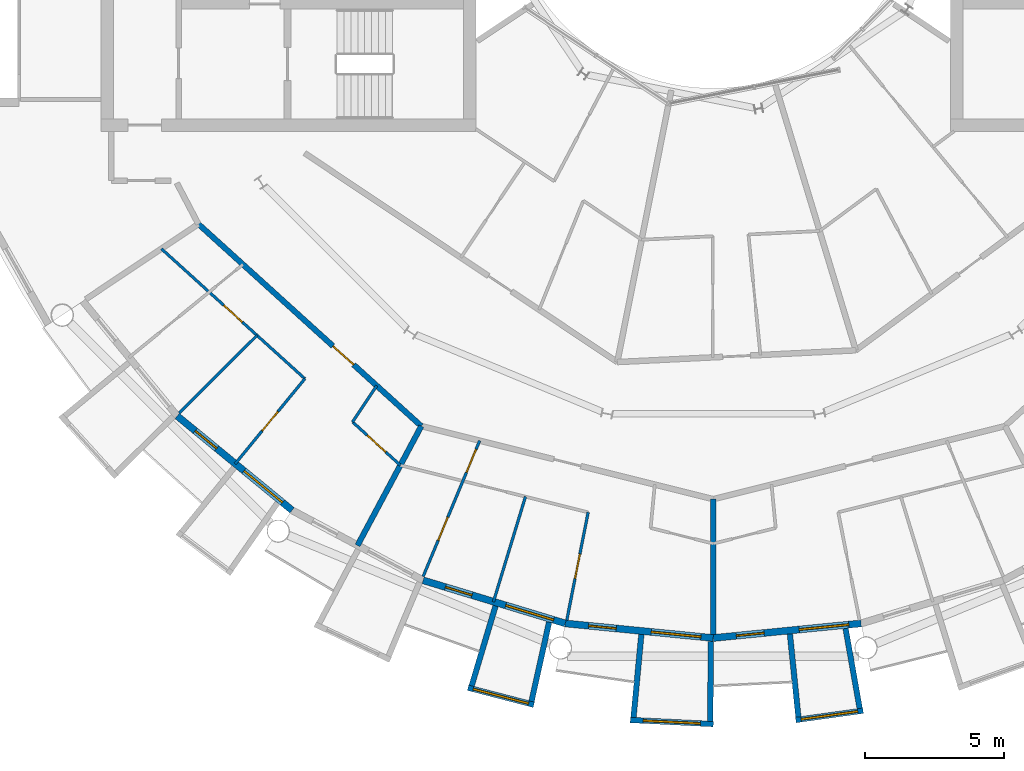
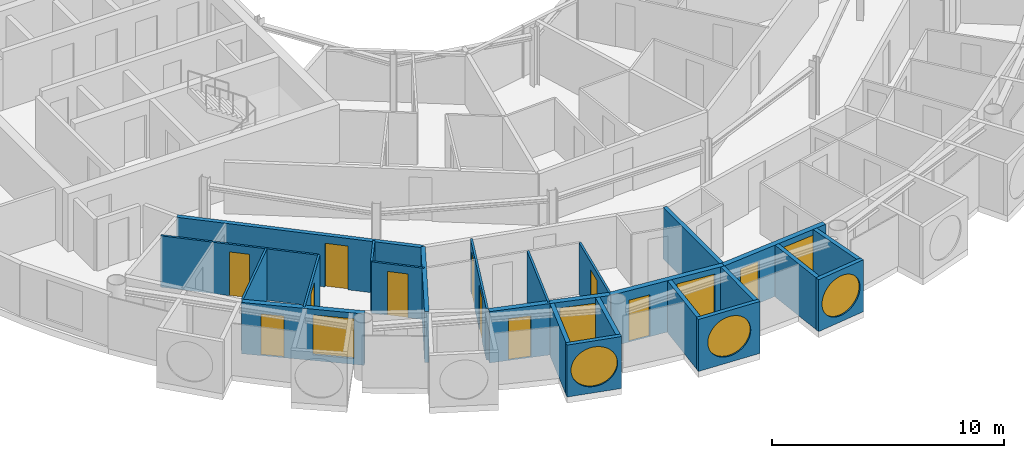
# One storey, part 15 of 29: 24 walls, 11 doors, 7 windows, 18 openings.
"""IFC4 building model written with IfcOpenShell, lengths in metres."""

from ifc_helpers import new_model, si_unit, direction, frame, frame_2d, origin, place, context, subcontext, project, spatial, rectangle, circle, extrude, material, layer, layer_set, type_object, element, fill, save


model = new_model("IFC4")

# Units and contexts
model_context = context("Model", 3, precision=1e-05, world=origin(), true_north=direction((0.0, 1.0)))
body_context = subcontext(model_context, "Body", "Model", "MODEL_VIEW")
ifc_project = project(units=[si_unit("LENGTHUNIT", "METRE"), si_unit("AREAUNIT", "SQUARE_METRE"), si_unit("VOLUMEUNIT", "CUBIC_METRE"), si_unit("PLANEANGLEUNIT", "RADIAN"), si_unit("MASSUNIT", "GRAM", prefix="KILO")], contexts=[model_context])

# Site, building, storey
site_placement = place(None, origin())
site = spatial("IfcSite", under=ifc_project, at=site_placement, CompositionType="ELEMENT")
building_placement = place(site_placement, origin())
building = spatial("IfcBuilding", under=site, at=building_placement, Name="Maasbend Ring Residences", CompositionType="ELEMENT")
storey_placement = place(building_placement, frame((0.0, 0.0, 193.25)))
storey = spatial("IfcBuildingStorey", under=building, at=storey_placement, Name="L55", CompositionType="ELEMENT", Elevation=193.25)

# Wall, opening, door
ifc_material_1 = material(Name="Concrete C30/37", Category="concrete")
ifc_layer_1 = layer(ifc_material_1, 0.199951171875)
ifc_layer_set_1 = layer_set([ifc_layer_1], Name="Concrete C30/37")
wall_type_1 = type_object("IfcWallType", Name="CORRIDOR WALL 200 CONCRETE", PredefinedType="PARTITIONING", material=ifc_layer_set_1)
wall_1_placement = place(storey_placement, frame((-18.5419921875, -12.388916015625, 0.0), z_axis=(0.0, 0.0, 1.0), x_axis=(0.74093897184, -0.671572363941, 0.0)))
wall_1 = element("IfcWall", 1, at=wall_1_placement, inside=storey, type_object=wall_type_1, Name="U-L55-w013", PredefinedType="PARTITIONING", context=body_context, shape_type="SweptSolid", body=[
    extrude(rectangle(XDim=10.84033203125, YDim=0.199951171875, at=frame_2d((5.420166015625, 0.0))), origin(), (0.0, 0.0, 1.0), 2.699951171875),
])
opening_1_placement = place(wall_1_placement, frame((6.5439453125, 0.0, 0.0)))
opening_1 = element("IfcOpeningElement", 2, at=opening_1_placement, cuts=wall_1, Name="Opening D-5536", PredefinedType="OPENING", context=body_context, shape_type="SweptSolid", body=[
    extrude(rectangle(XDim=1.0, YDim=2.300048828125, at=frame_2d((0.5, 1.14990234375))), frame((0.0, 0.10986328125, 0.0), z_axis=(0.0, -1.0, 0.0), x_axis=(1.0, 0.0, 0.0)), (0.0, 0.0, 1.0), 0.219970703125),
])
ifc_material_2 = material(Name="Timber, fire-rated, painted", Category="wood")
door_type_1 = type_object("IfcDoorType", Name="FLAT ENTRANCE DOOR 1000 X 2300 FIRE-RATED", OperationType="NOTDEFINED", PredefinedType="DOOR", material=ifc_material_2)
door_1_placement = place(opening_1_placement, origin())
door_1 = element("IfcDoor", 3, at=door_1_placement, inside=storey, type_object=door_type_1, Name="D-5536", OperationType="SINGLE_SWING_RIGHT", OverallHeight=2.300048828125, OverallWidth=1.0, PredefinedType="DOOR", context=body_context, shape_type="SweptSolid", body=[
    extrude(rectangle(XDim=1.0, YDim=2.300048828125, at=frame_2d((0.5, 1.14990234375))), frame((0.0, 0.02490234375, 0.0), z_axis=(0.0, -1.0, 0.0), x_axis=(1.0, 0.0, 0.0)), (0.0, 0.0, 1.0), 0.050048828125),
])
fill(opening_1, door_1)

# Wall, opening, window
ifc_material_3 = material(Name="Pale anodised aluminium panel", Category="aluminium")
ifc_layer_2 = layer(ifc_material_3, 0.199951171875)
ifc_layer_set_2 = layer_set([ifc_layer_2], Name="EW-BOX")
wall_type_2 = type_object("IfcWallType", Name="EW-BOX", PredefinedType="SOLIDWALL", material=ifc_layer_set_2)
wall_2_placement = place(storey_placement, frame((-8.8291015625, -29.090087890625, -0.030029296875), z_axis=(0.0, 0.0, 1.0), x_axis=(0.96789536872, -0.251353446784, 0.0)))
wall_2 = element("IfcWall", 4, at=wall_2_placement, inside=storey, type_object=wall_type_2, Name="Box front S08", PredefinedType="SOLIDWALL", context=body_context, shape_type="SweptSolid", body=[
    extrude(rectangle(XDim=2.44677734375, YDim=0.199951171875, at=frame_2d((1.223388671875, 0.0))), origin(), (0.0, 0.0, 1.0), 2.72998046875),
])
opening_2_placement = place(wall_2_placement, frame((0.182861328125, 0.0, 0.330078125)))
opening_2 = element("IfcOpeningElement", 5, at=opening_2_placement, cuts=wall_2, Name="Opening W-RD", PredefinedType="OPENING", context=body_context, shape_type="SweptSolid", body=[
    extrude(circle(Radius=1.0400390625, at=frame_2d((1.0400390625, 1.0400390625))), frame((0.0, 0.10986328125, 0.0), z_axis=(0.0, -1.0, 0.0), x_axis=(1.0, 0.0, 0.0)), (0.0, 0.0, 1.0), 0.219970703125),
])
ifc_material_4 = material(Name="Aluminium and clear glass", Category="aluminium")
window_type_1 = type_object("IfcWindowType", Name="W-RD", PartitioningType="SINGLE_PANEL", PredefinedType="WINDOW", material=ifc_material_4)
window_1_placement = place(opening_2_placement, origin())
window_1 = element("IfcWindow", 6, at=window_1_placement, inside=storey, type_object=window_type_1, Name="Round window S08", OverallHeight=2.080078125, OverallWidth=2.080078125, PartitioningType="SINGLE_PANEL", PredefinedType="WINDOW", context=body_context, shape_type="SweptSolid", body=[
    extrude(circle(Radius=1.0400390625, at=frame_2d((1.0400390625, 1.0400390625))), frame((0.0, 0.030029296875, 0.0), z_axis=(0.0, -1.0, 0.0), x_axis=(1.0, 0.0, 0.0)), (0.0, 0.0, 1.0), 0.06005859375),
])
fill(opening_2, window_1)

# Walls
wall_3_placement = place(storey_placement, frame((-7.8369140625, -26.14404296875, -0.030029296875), z_axis=(0.0, 0.0, 1.0), x_axis=(-0.287064767992, -0.957911174889, 0.0)))
element("IfcWall", 7, at=wall_3_placement, inside=storey, type_object=wall_type_2, Name="Box side wall S08 left", PredefinedType="SOLIDWALL", context=body_context, shape_type="SweptSolid", body=[
    extrude(rectangle(XDim=3.00634765625, YDim=0.199951171875, at=frame_2d((1.503173828125, 0.0))), origin(), (0.0, 0.0, 1.0), 2.72998046875),
])
wall_4_placement = place(storey_placement, frame((-5.908935546875, -26.72900390625, -0.030029296875), z_axis=(0.0, 0.0, 1.0), x_axis=(-0.216409053917, -0.976302781612, 0.0)))
element("IfcWall", 8, at=wall_4_placement, inside=storey, type_object=wall_type_2, Name="Box side wall S08 right", PredefinedType="SOLIDWALL", context=body_context, shape_type="SweptSolid", body=[
    extrude(rectangle(XDim=2.92529296875, YDim=0.199951171875, at=frame_2d((1.462646484375, 0.0))), origin(), (0.0, 0.0, 1.0), 2.72998046875),
])

# Wall, opening, window
wall_5_placement = place(storey_placement, frame((-2.985107421875, -30.2529296875, -0.030029296875), z_axis=(0.0, 0.0, 1.0), x_axis=(0.998794083011, -0.049095618353, 0.0)))
wall_5 = element("IfcWall", 9, at=wall_5_placement, inside=storey, type_object=wall_type_2, Name="Box front S10", PredefinedType="SOLIDWALL", context=body_context, shape_type="SweptSolid", body=[
    extrude(rectangle(XDim=2.99365234375, YDim=0.199951171875, at=frame_2d((1.496826171875, 0.0))), origin(), (0.0, 0.0, 1.0), 2.72998046875),
])
opening_3_placement = place(wall_5_placement, frame((0.45654296875, 0.0, 0.330078125)))
opening_3 = element("IfcOpeningElement", 10, at=opening_3_placement, cuts=wall_5, Name="Opening W-RD", PredefinedType="OPENING", context=body_context, shape_type="SweptSolid", body=[
    extrude(circle(Radius=1.0400390625, at=frame_2d((1.0400390625, 1.0400390625))), frame((0.0, 0.10986328125, 0.0), z_axis=(0.0, -1.0, 0.0), x_axis=(1.0, 0.0, 0.0)), (0.0, 0.0, 1.0), 0.219970703125),
])
window_2_placement = place(opening_3_placement, origin())
window_2 = element("IfcWindow", 11, at=window_2_placement, inside=storey, type_object=window_type_1, Name="Round window S10", OverallHeight=2.080078125, OverallWidth=2.080078125, PartitioningType="SINGLE_PANEL", PredefinedType="WINDOW", context=body_context, shape_type="SweptSolid", body=[
    extrude(circle(Radius=1.0400390625, at=frame_2d((1.0400390625, 1.0400390625))), frame((0.0, 0.030029296875, 0.0), z_axis=(0.0, -1.0, 0.0), x_axis=(1.0, 0.0, 0.0)), (0.0, 0.0, 1.0), 0.06005859375),
])
fill(opening_3, window_2)

# Walls
wall_6_placement = place(storey_placement, frame((-2.5859375, -27.1708984375, -0.030029296875), z_axis=(0.0, 0.0, 1.0), x_axis=(-0.094548432284, -0.995520262954, 0.0)))
element("IfcWall", 12, at=wall_6_placement, inside=storey, type_object=wall_type_2, Name="Box side wall S10 left", PredefinedType="SOLIDWALL", context=body_context, shape_type="SweptSolid", body=[
    extrude(rectangle(XDim=3.005615234375, YDim=0.199951171875, at=frame_2d((1.5029296875, 0.0))), origin(), (0.0, 0.0, 1.0), 2.72998046875),
])
wall_7_placement = place(storey_placement, frame((-0.090087890625, -27.4169921875, -0.030029296875), z_axis=(0.0, 0.0, 1.0), x_axis=(-0.00347308367, -0.999993968827, 0.0)))
element("IfcWall", 13, at=wall_7_placement, inside=storey, type_object=wall_type_2, Name="Box side wall S10 right", PredefinedType="SOLIDWALL", context=body_context, shape_type="SweptSolid", body=[
    extrude(rectangle(XDim=2.882080078125, YDim=0.199951171875, at=frame_2d((1.44091796875, 0.0))), origin(), (0.0, 0.0, 1.0), 2.72998046875),
])

# Wall, opening, window
wall_8_placement = place(storey_placement, frame((2.97607421875, -30.25390625, -0.030029296875), z_axis=(0.0, 0.0, 1.0), x_axis=(0.990462016113, 0.137786046596, 0.0)))
wall_8 = element("IfcWall", 14, at=wall_8_placement, inside=storey, type_object=wall_type_2, Name="Box front S12", PredefinedType="SOLIDWALL", context=body_context, shape_type="SweptSolid", body=[
    extrude(rectangle(XDim=2.4453125, YDim=0.199951171875, at=frame_2d((1.22265625, 0.0))), origin(), (0.0, 0.0, 1.0), 2.72998046875),
])
opening_4_placement = place(wall_8_placement, frame((0.182861328125, 0.0, 0.330078125)))
opening_4 = element("IfcOpeningElement", 15, at=opening_4_placement, cuts=wall_8, Name="Opening W-RD", PredefinedType="OPENING", context=body_context, shape_type="SweptSolid", body=[
    extrude(circle(Radius=1.0400390625, at=frame_2d((1.0400390625, 1.0400390625))), frame((0.0, 0.10986328125, 0.0), z_axis=(0.0, -1.0, 0.0), x_axis=(1.0, 0.0, 0.0)), (0.0, 0.0, 1.0), 0.219970703125),
])
window_3_placement = place(opening_4_placement, origin())
window_3 = element("IfcWindow", 16, at=window_3_placement, inside=storey, type_object=window_type_1, Name="Round window S12", OverallHeight=2.080078125, OverallWidth=2.080078125, PartitioningType="SINGLE_PANEL", PredefinedType="WINDOW", context=body_context, shape_type="SweptSolid", body=[
    extrude(circle(Radius=1.0400390625, at=frame_2d((1.0400390625, 1.0400390625))), frame((0.0, 0.030029296875, 0.0), z_axis=(0.0, -1.0, 0.0), x_axis=(1.0, 0.0, 0.0)), (0.0, 0.0, 1.0), 0.06005859375),
])
fill(opening_4, window_3)

# Walls
wall_9_placement = place(storey_placement, frame((2.763916015625, -27.153076171875, -0.030029296875), z_axis=(0.0, 0.0, 1.0), x_axis=(0.101505487237, -0.994834979311, 0.0)))
element("IfcWall", 17, at=wall_9_placement, inside=storey, type_object=wall_type_2, Name="Box side wall S12 left", PredefinedType="SOLIDWALL", context=body_context, shape_type="SweptSolid", body=[
    extrude(rectangle(XDim=3.006591796875, YDim=0.199951171875, at=frame_2d((1.50341796875, 0.0))), origin(), (0.0, 0.0, 1.0), 2.72998046875),
])
wall_10_placement = place(storey_placement, frame((4.76904296875, -26.9560546875, -0.030029296875), z_axis=(0.0, 0.0, 1.0), x_axis=(0.174056778901, -0.984735618183, 0.0)))
element("IfcWall", 18, at=wall_10_placement, inside=storey, type_object=wall_type_2, Name="Box side wall S12 right", PredefinedType="SOLIDWALL", context=body_context, shape_type="SweptSolid", body=[
    extrude(rectangle(XDim=2.924560546875, YDim=0.199951171875, at=frame_2d((1.46240234375, 0.0))), origin(), (0.0, 0.0, 1.0), 2.72998046875),
])

# Wall, openings, door, window
ifc_material_5 = material(Name="Aluminium clad insulated panel", Category="aluminium")
ifc_layer_3 = layer(ifc_material_5, 0.25)
ifc_layer_set_3 = layer_set([ifc_layer_3], Name="EW-GL")
wall_type_3 = type_object("IfcWallType", Name="EW-GL", PredefinedType="SOLIDWALL", material=ifc_layer_set_3)
wall_11_placement = place(storey_placement, frame((-19.303955078125, -19.303955078125, 0.0), z_axis=(0.0, 0.0, 1.0), x_axis=(0.773019449054, -0.634382322723, 0.0)))
wall_11 = element("IfcWall", 19, at=wall_11_placement, inside=storey, type_object=wall_type_3, Name="External wall S02", PredefinedType="SOLIDWALL", context=body_context, shape_type="SweptSolid", body=[
    extrude(rectangle(XDim=5.351806640625, YDim=0.25, at=frame_2d((2.67578125, 0.0))), origin(), (0.0, 0.0, 1.0), 2.699951171875),
])
opening_5_placement = place(wall_11_placement, frame((0.841064453125, 0.0, 0.0)))
opening_5 = element("IfcOpeningElement", 20, at=opening_5_placement, cuts=wall_11, Name="Opening D-LG", PredefinedType="OPENING", context=body_context, shape_type="SweptSolid", body=[
    extrude(rectangle(XDim=1.0, YDim=2.199951171875, at=frame_2d((0.5, 1.10009765625))), frame((0.0, 0.135009765625, 0.0), z_axis=(0.0, -1.0, 0.0), x_axis=(1.0, 0.0, 0.0)), (0.0, 0.0, 1.0), 0.27001953125),
])
opening_6_placement = place(wall_11_placement, frame((3.110595703125, 0.0, 0.300048828125)))
opening_6 = element("IfcOpeningElement", 21, at=opening_6_placement, cuts=wall_11, Name="Opening W-BX", PredefinedType="OPENING", context=body_context, shape_type="SweptSolid", body=[
    extrude(rectangle(XDim=1.800048828125, YDim=2.10009765625, at=frame_2d((0.89990234375, 1.050048828125))), frame((0.0, 0.135009765625, 0.0), z_axis=(0.0, -1.0, 0.0), x_axis=(1.0, 0.0, 0.0)), (0.0, 0.0, 1.0), 0.27001953125),
])
ifc_material_6 = material(Name="Aluminium and clear glass", Category="aluminium")
door_type_2 = type_object("IfcDoorType", Name="D-LG", OperationType="SINGLE_SWING_LEFT", PredefinedType="DOOR", material=ifc_material_6)
door_2_placement = place(opening_5_placement, origin())
door_2 = element("IfcDoor", 22, at=door_2_placement, inside=storey, type_object=door_type_2, Name="Loggia door S03", OperationType="SINGLE_SWING_LEFT", OverallHeight=2.199951171875, OverallWidth=1.0, PredefinedType="DOOR", context=body_context, shape_type="SweptSolid", body=[
    extrude(rectangle(XDim=1.0, YDim=2.199951171875, at=frame_2d((0.5, 1.10009765625))), frame((0.0, 0.02490234375, 0.0), z_axis=(0.0, -1.0, 0.0), x_axis=(1.0, 0.0, 0.0)), (0.0, 0.0, 1.0), 0.050048828125),
])
fill(opening_5, door_2)
ifc_material_7 = material(Name="Aluminium and clear glass", Category="aluminium")
window_type_2 = type_object("IfcWindowType", Name="W-BX", PartitioningType="DOUBLE_PANEL_VERTICAL", PredefinedType="WINDOW", material=ifc_material_7)
window_4_placement = place(opening_6_placement, origin())
window_4 = element("IfcWindow", 23, at=window_4_placement, inside=storey, type_object=window_type_2, Name="Window S04 room to box", OverallHeight=2.10009765625, OverallWidth=1.800048828125, PartitioningType="SINGLE_PANEL", PredefinedType="WINDOW", context=body_context, shape_type="SweptSolid", body=[
    extrude(rectangle(XDim=1.800048828125, YDim=2.10009765625, at=frame_2d((0.89990234375, 1.050048828125))), frame((0.0, 0.030029296875, 0.0), z_axis=(0.0, -1.0, 0.0), x_axis=(1.0, 0.0, 0.0)), (0.0, 0.0, 1.0), 0.06005859375),
])
fill(opening_6, window_4)

wall_12_placement = place(storey_placement, frame((-10.447021484375, -25.221923828125, 0.0), z_axis=(0.0, 0.0, 1.0), x_axis=(0.956965678721, -0.290201119486, 0.0)))
wall_12 = element("IfcWall", 24, at=wall_12_placement, inside=storey, type_object=wall_type_3, Name="External wall S04", PredefinedType="SOLIDWALL", context=body_context, shape_type="SweptSolid", body=[
    extrude(rectangle(XDim=5.351318359375, YDim=0.25, at=frame_2d((2.67578125, 0.0))), origin(), (0.0, 0.0, 1.0), 2.699951171875),
])
opening_7_placement = place(wall_12_placement, frame((0.841064453125, 0.0, 0.0)))
opening_7 = element("IfcOpeningElement", 25, at=opening_7_placement, cuts=wall_12, Name="Opening D-LG", PredefinedType="OPENING", context=body_context, shape_type="SweptSolid", body=[
    extrude(rectangle(XDim=1.0, YDim=2.199951171875, at=frame_2d((0.5, 1.10009765625))), frame((0.0, 0.135009765625, 0.0), z_axis=(0.0, -1.0, 0.0), x_axis=(1.0, 0.0, 0.0)), (0.0, 0.0, 1.0), 0.27001953125),
])
opening_8_placement = place(wall_12_placement, frame((3.110595703125, 0.0, 0.300048828125)))
opening_8 = element("IfcOpeningElement", 26, at=opening_8_placement, cuts=wall_12, Name="Opening W-BX", PredefinedType="OPENING", context=body_context, shape_type="SweptSolid", body=[
    extrude(rectangle(XDim=1.800048828125, YDim=2.10009765625, at=frame_2d((0.89990234375, 1.050048828125))), frame((0.0, 0.135009765625, 0.0), z_axis=(0.0, -1.0, 0.0), x_axis=(1.0, 0.0, 0.0)), (0.0, 0.0, 1.0), 0.27001953125),
])
door_3_placement = place(opening_7_placement, origin())
door_3 = element("IfcDoor", 27, at=door_3_placement, inside=storey, type_object=door_type_2, Name="Loggia door S07", OperationType="SINGLE_SWING_LEFT", OverallHeight=2.199951171875, OverallWidth=1.0, PredefinedType="DOOR", context=body_context, shape_type="SweptSolid", body=[
    extrude(rectangle(XDim=1.0, YDim=2.199951171875, at=frame_2d((0.5, 1.10009765625))), frame((0.0, 0.02490234375, 0.0), z_axis=(0.0, -1.0, 0.0), x_axis=(1.0, 0.0, 0.0)), (0.0, 0.0, 1.0), 0.050048828125),
])
fill(opening_7, door_3)
window_5_placement = place(opening_8_placement, origin())
window_5 = element("IfcWindow", 28, at=window_5_placement, inside=storey, type_object=window_type_2, Name="Window S08 room to box", OverallHeight=2.10009765625, OverallWidth=1.800048828125, PartitioningType="SINGLE_PANEL", PredefinedType="WINDOW", context=body_context, shape_type="SweptSolid", body=[
    extrude(rectangle(XDim=1.800048828125, YDim=2.10009765625, at=frame_2d((0.89990234375, 1.050048828125))), frame((0.0, 0.030029296875, 0.0), z_axis=(0.0, -1.0, 0.0), x_axis=(1.0, 0.0, 0.0)), (0.0, 0.0, 1.0), 0.06005859375),
])
fill(opening_8, window_5)

wall_13_placement = place(storey_placement, frame((-5.325927734375, -26.77490234375, 0.0), z_axis=(0.0, 0.0, 1.0), x_axis=(0.995173996315, -0.098126026407, 0.0)))
wall_13 = element("IfcWall", 29, at=wall_13_placement, inside=storey, type_object=wall_type_3, Name="External wall S05", PredefinedType="SOLIDWALL", context=body_context, shape_type="SweptSolid", body=[
    extrude(rectangle(XDim=5.351806640625, YDim=0.25, at=frame_2d((2.67578125, 0.0))), origin(), (0.0, 0.0, 1.0), 2.699951171875),
])
opening_9_placement = place(wall_13_placement, frame((0.841064453125, 0.0, 0.0)))
opening_9 = element("IfcOpeningElement", 30, at=opening_9_placement, cuts=wall_13, Name="Opening D-LG", PredefinedType="OPENING", context=body_context, shape_type="SweptSolid", body=[
    extrude(rectangle(XDim=1.0, YDim=2.199951171875, at=frame_2d((0.5, 1.10009765625))), frame((0.0, 0.135009765625, 0.0), z_axis=(0.0, -1.0, 0.0), x_axis=(1.0, 0.0, 0.0)), (0.0, 0.0, 1.0), 0.27001953125),
])
opening_10_placement = place(wall_13_placement, frame((3.110595703125, 0.0, 0.300048828125)))
opening_10 = element("IfcOpeningElement", 31, at=opening_10_placement, cuts=wall_13, Name="Opening W-BX", PredefinedType="OPENING", context=body_context, shape_type="SweptSolid", body=[
    extrude(rectangle(XDim=1.800048828125, YDim=2.10009765625, at=frame_2d((0.89990234375, 1.050048828125))), frame((0.0, 0.135009765625, 0.0), z_axis=(0.0, -1.0, 0.0), x_axis=(1.0, 0.0, 0.0)), (0.0, 0.0, 1.0), 0.27001953125),
])
door_4_placement = place(opening_9_placement, origin())
door_4 = element("IfcDoor", 32, at=door_4_placement, inside=storey, type_object=door_type_2, Name="Loggia door S09", OperationType="SINGLE_SWING_LEFT", OverallHeight=2.199951171875, OverallWidth=1.0, PredefinedType="DOOR", context=body_context, shape_type="SweptSolid", body=[
    extrude(rectangle(XDim=1.0, YDim=2.199951171875, at=frame_2d((0.5, 1.10009765625))), frame((0.0, 0.02490234375, 0.0), z_axis=(0.0, -1.0, 0.0), x_axis=(1.0, 0.0, 0.0)), (0.0, 0.0, 1.0), 0.050048828125),
])
fill(opening_9, door_4)
window_6_placement = place(opening_10_placement, origin())
window_6 = element("IfcWindow", 33, at=window_6_placement, inside=storey, type_object=window_type_2, Name="Window S10 room to box", OverallHeight=2.10009765625, OverallWidth=1.800048828125, PartitioningType="SINGLE_PANEL", PredefinedType="WINDOW", context=body_context, shape_type="SweptSolid", body=[
    extrude(rectangle(XDim=1.800048828125, YDim=2.10009765625, at=frame_2d((0.89990234375, 1.050048828125))), frame((0.0, 0.030029296875, 0.0), z_axis=(0.0, -1.0, 0.0), x_axis=(1.0, 0.0, 0.0)), (0.0, 0.0, 1.0), 0.06005859375),
])
fill(opening_10, window_6)

wall_14_placement = place(storey_placement, frame((0.0, -27.300048828125, 0.0), z_axis=(0.0, 0.0, 1.0), x_axis=(0.995173996315, 0.098126026407, 0.0)))
wall_14 = element("IfcWall", 34, at=wall_14_placement, inside=storey, type_object=wall_type_3, Name="External wall S06", PredefinedType="SOLIDWALL", context=body_context, shape_type="SweptSolid", body=[
    extrude(rectangle(XDim=5.351806640625, YDim=0.25, at=frame_2d((2.67578125, 0.0))), origin(), (0.0, 0.0, 1.0), 2.699951171875),
])
opening_11_placement = place(wall_14_placement, frame((0.841064453125, 0.0, 0.0)))
opening_11 = element("IfcOpeningElement", 35, at=opening_11_placement, cuts=wall_14, Name="Opening D-LG", PredefinedType="OPENING", context=body_context, shape_type="SweptSolid", body=[
    extrude(rectangle(XDim=1.0, YDim=2.199951171875, at=frame_2d((0.5, 1.10009765625))), frame((0.0, 0.135009765625, 0.0), z_axis=(0.0, -1.0, 0.0), x_axis=(1.0, 0.0, 0.0)), (0.0, 0.0, 1.0), 0.27001953125),
])
opening_12_placement = place(wall_14_placement, frame((3.110595703125, 0.0, 0.300048828125)))
opening_12 = element("IfcOpeningElement", 36, at=opening_12_placement, cuts=wall_14, Name="Opening W-BX", PredefinedType="OPENING", context=body_context, shape_type="SweptSolid", body=[
    extrude(rectangle(XDim=1.800048828125, YDim=2.10009765625, at=frame_2d((0.89990234375, 1.050048828125))), frame((0.0, 0.135009765625, 0.0), z_axis=(0.0, -1.0, 0.0), x_axis=(1.0, 0.0, 0.0)), (0.0, 0.0, 1.0), 0.27001953125),
])
door_5_placement = place(opening_11_placement, origin())
door_5 = element("IfcDoor", 37, at=door_5_placement, inside=storey, type_object=door_type_2, Name="Loggia door S11", OperationType="SINGLE_SWING_LEFT", OverallHeight=2.199951171875, OverallWidth=1.0, PredefinedType="DOOR", context=body_context, shape_type="SweptSolid", body=[
    extrude(rectangle(XDim=1.0, YDim=2.199951171875, at=frame_2d((0.5, 1.10009765625))), frame((0.0, 0.02490234375, 0.0), z_axis=(0.0, -1.0, 0.0), x_axis=(1.0, 0.0, 0.0)), (0.0, 0.0, 1.0), 0.050048828125),
])
fill(opening_11, door_5)
window_7_placement = place(opening_12_placement, origin())
window_7 = element("IfcWindow", 38, at=window_7_placement, inside=storey, type_object=window_type_2, Name="Window S12 room to box", OverallHeight=2.10009765625, OverallWidth=1.800048828125, PartitioningType="SINGLE_PANEL", PredefinedType="WINDOW", context=body_context, shape_type="SweptSolid", body=[
    extrude(rectangle(XDim=1.800048828125, YDim=2.10009765625, at=frame_2d((0.89990234375, 1.050048828125))), frame((0.0, 0.030029296875, 0.0), z_axis=(0.0, -1.0, 0.0), x_axis=(1.0, 0.0, 0.0)), (0.0, 0.0, 1.0), 0.06005859375),
])
fill(opening_12, window_7)

# Wall, opening, door
ifc_material_8 = material(Name="Gypsum board on steel studs", Category="steel")
ifc_layer_4 = layer(ifc_material_8, 0.10009765625)
ifc_layer_set_4 = layer_set([ifc_layer_4], Name="PARTITION 100 GYPSUM")
wall_type_4 = type_object("IfcWallType", Name="PARTITION 100 GYPSUM", PredefinedType="PARTITIONING", material=ifc_layer_set_4)
wall_15_placement = place(storey_placement, frame((-19.868896484375, -13.283935546875, 0.0), z_axis=(0.0, 0.0, 1.0), x_axis=(0.741104058203, -0.67139018083, 0.0)))
wall_15 = element("IfcWall", 39, at=wall_15_placement, inside=storey, type_object=wall_type_4, Name="U-L55-w001", PredefinedType="PARTITIONING", context=body_context, shape_type="SweptSolid", body=[
    extrude(rectangle(XDim=6.968994140625, YDim=0.10009765625, at=frame_2d((3.484375, 0.0))), origin(), (0.0, 0.0, 1.0), 2.699951171875),
])
opening_13_placement = place(wall_15_placement, frame((3.028076171875, 0.0, 0.0)))
opening_13 = element("IfcOpeningElement", 40, at=opening_13_placement, cuts=wall_15, Name="Opening D-5540", PredefinedType="OPENING", context=body_context, shape_type="SweptSolid", body=[
    extrude(rectangle(XDim=0.89990234375, YDim=2.300048828125, at=frame_2d((0.449951171875, 1.14990234375))), frame((0.0, 0.06005859375, 0.0), z_axis=(0.0, -1.0, 0.0), x_axis=(1.0, 0.0, 0.0)), (0.0, 0.0, 1.0), 0.1201171875),
])
ifc_material_9 = material(Name="Timber, painted", Category="wood")
door_type_3 = type_object("IfcDoorType", Name="INTERNAL DOOR 900 X 2300", OperationType="NOTDEFINED", PredefinedType="DOOR", material=ifc_material_9)
door_6_placement = place(opening_13_placement, origin())
door_6 = element("IfcDoor", 41, at=door_6_placement, inside=storey, type_object=door_type_3, Name="D-5540", OperationType="SINGLE_SWING_LEFT", OverallHeight=2.300048828125, OverallWidth=0.89990234375, PredefinedType="DOOR", context=body_context, shape_type="SweptSolid", body=[
    extrude(rectangle(XDim=0.89990234375, YDim=2.300048828125, at=frame_2d((0.449951171875, 1.14990234375))), frame((0.0, 0.02490234375, 0.0), z_axis=(0.0, -1.0, 0.0), x_axis=(1.0, 0.0, 0.0)), (0.0, 0.0, 1.0), 0.050048828125),
])
fill(opening_13, door_6)

wall_16_placement = place(storey_placement, frame((-12.988037109375, -19.51806640625, 0.0), z_axis=(0.0, 0.0, 1.0), x_axis=(0.741132356378, -0.671358942988, 0.0)))
wall_16 = element("IfcWall", 42, at=wall_16_placement, inside=storey, type_object=wall_type_4, Name="U-L55-w002", PredefinedType="PARTITIONING", context=body_context, shape_type="SweptSolid", body=[
    extrude(rectangle(XDim=2.323486328125, YDim=0.10009765625, at=frame_2d((1.16162109375, 0.0))), origin(), (0.0, 0.0, 1.0), 2.699951171875),
])
opening_14_placement = place(wall_16_placement, frame((0.7119140625, 0.0, 0.0)))
opening_14 = element("IfcOpeningElement", 43, at=opening_14_placement, cuts=wall_16, Name="Opening D-5537", PredefinedType="OPENING", context=body_context, shape_type="SweptSolid", body=[
    extrude(rectangle(XDim=0.89990234375, YDim=2.300048828125, at=frame_2d((0.449951171875, 1.14990234375))), frame((0.0, 0.06005859375, 0.0), z_axis=(0.0, -1.0, 0.0), x_axis=(1.0, 0.0, 0.0)), (0.0, 0.0, 1.0), 0.1201171875),
])
door_7_placement = place(opening_14_placement, origin())
door_7 = element("IfcDoor", 44, at=door_7_placement, inside=storey, type_object=door_type_3, Name="D-5537", OperationType="SINGLE_SWING_RIGHT", OverallHeight=2.300048828125, OverallWidth=0.89990234375, PredefinedType="DOOR", context=body_context, shape_type="SweptSolid", body=[
    extrude(rectangle(XDim=0.89990234375, YDim=2.300048828125, at=frame_2d((0.449951171875, 1.14990234375))), frame((0.0, 0.02490234375, 0.0), z_axis=(0.0, -1.0, 0.0), x_axis=(1.0, 0.0, 0.0)), (0.0, 0.0, 1.0), 0.050048828125),
])
fill(opening_14, door_7)

# Wall
wall_17_placement = place(storey_placement, frame((-19.23095703125, -19.199951171875, 0.0), z_axis=(0.0, 0.0, 1.0), x_axis=(0.707722727509, 0.706490297858, 0.0)))
element("IfcWall", 45, at=wall_17_placement, inside=storey, type_object=wall_type_4, Name="U-L55-w036", PredefinedType="PARTITIONING", context=body_context, shape_type="SweptSolid", body=[
    extrude(rectangle(XDim=3.9619140625, YDim=0.10009765625, at=frame_2d((1.98095703125, 0.0))), origin(), (0.0, 0.0, 1.0), 2.699951171875),
])

# Wall, opening, door
wall_18_placement = place(storey_placement, frame((-17.216064453125, -21.02587890625, 0.0), z_axis=(0.0, 0.0, 1.0), x_axis=(0.633590098448, 0.773668913133, 0.0)))
wall_18 = element("IfcWall", 46, at=wall_18_placement, inside=storey, type_object=wall_type_4, Name="U-L55-w039", PredefinedType="PARTITIONING", context=body_context, shape_type="SweptSolid", body=[
    extrude(rectangle(XDim=3.961669921875, YDim=0.10009765625, at=frame_2d((1.98095703125, 0.0))), origin(), (0.0, 0.0, 1.0), 2.699951171875),
])
opening_15_placement = place(wall_18_placement, frame((1.531005859375, 0.0, 0.0)))
opening_15 = element("IfcOpeningElement", 47, at=opening_15_placement, cuts=wall_18, Name="Opening D-5539", PredefinedType="OPENING", context=body_context, shape_type="SweptSolid", body=[
    extrude(rectangle(XDim=0.89990234375, YDim=2.300048828125, at=frame_2d((0.449951171875, 1.14990234375))), frame((0.0, 0.06005859375, 0.0), z_axis=(0.0, -1.0, 0.0), x_axis=(1.0, 0.0, 0.0)), (0.0, 0.0, 1.0), 0.1201171875),
])
door_8_placement = place(opening_15_placement, origin())
door_8 = element("IfcDoor", 48, at=door_8_placement, inside=storey, type_object=door_type_3, Name="D-5539", OperationType="SINGLE_SWING_RIGHT", OverallHeight=2.300048828125, OverallWidth=0.89990234375, PredefinedType="DOOR", context=body_context, shape_type="SweptSolid", body=[
    extrude(rectangle(XDim=0.89990234375, YDim=2.300048828125, at=frame_2d((0.449951171875, 1.14990234375))), frame((0.0, 0.02490234375, 0.0), z_axis=(0.0, -1.0, 0.0), x_axis=(1.0, 0.0, 0.0)), (0.0, 0.0, 1.0), 0.050048828125),
])
fill(opening_15, door_8)

# Wall
wall_19_placement = place(storey_placement, frame((-12.988037109375, -19.51806640625, 0.0), z_axis=(0.0, 0.0, 1.0), x_axis=(0.554125989098, 0.832432813028, 0.0)))
element("IfcWall", 49, at=wall_19_placement, inside=storey, type_object=wall_type_4, Name="U-L55-w041", PredefinedType="PARTITIONING", context=body_context, shape_type="SweptSolid", body=[
    extrude(rectangle(XDim=1.5703125, YDim=0.10009765625, at=frame_2d((0.78515625, 0.0))), origin(), (0.0, 0.0, 1.0), 2.699951171875),
])

# Wall, openings, doors
wall_20_placement = place(storey_placement, frame((-10.447021484375, -25.0859375, 0.0), z_axis=(0.0, 0.0, 1.0), x_axis=(0.384363513821, 0.923181828917, 0.0)))
wall_20 = element("IfcWall", 50, at=wall_20_placement, inside=storey, type_object=wall_type_4, Name="U-L55-w044", PredefinedType="PARTITIONING", context=body_context, shape_type="SweptSolid", body=[
    extrude(rectangle(XDim=5.300048828125, YDim=0.10009765625, at=frame_2d((2.64990234375, 0.0))), origin(), (0.0, 0.0, 1.0), 2.699951171875),
])
opening_16_placement = place(wall_20_placement, frame((4.06494140625, 0.0, 0.0)))
opening_16 = element("IfcOpeningElement", 51, at=opening_16_placement, cuts=wall_20, Name="Opening D-5544", PredefinedType="OPENING", context=body_context, shape_type="SweptSolid", body=[
    extrude(rectangle(XDim=0.89990234375, YDim=2.300048828125, at=frame_2d((0.449951171875, 1.14990234375))), frame((0.0, 0.06005859375, 0.0), z_axis=(0.0, -1.0, 0.0), x_axis=(1.0, 0.0, 0.0)), (0.0, 0.0, 1.0), 0.1201171875),
])
opening_17_placement = place(wall_20_placement, frame((1.4150390625, 0.0, 0.0)))
opening_17 = element("IfcOpeningElement", 52, at=opening_17_placement, cuts=wall_20, Name="Opening D-5547", PredefinedType="OPENING", context=body_context, shape_type="SweptSolid", body=[
    extrude(rectangle(XDim=0.89990234375, YDim=2.300048828125, at=frame_2d((0.449951171875, 1.14990234375))), frame((0.0, 0.06005859375, 0.0), z_axis=(0.0, -1.0, 0.0), x_axis=(1.0, 0.0, 0.0)), (0.0, 0.0, 1.0), 0.1201171875),
])
door_9_placement = place(opening_16_placement, origin())
door_9 = element("IfcDoor", 53, at=door_9_placement, inside=storey, type_object=door_type_3, Name="D-5544", OperationType="SINGLE_SWING_RIGHT", OverallHeight=2.300048828125, OverallWidth=0.89990234375, PredefinedType="DOOR", context=body_context, shape_type="SweptSolid", body=[
    extrude(rectangle(XDim=0.89990234375, YDim=2.300048828125, at=frame_2d((0.449951171875, 1.14990234375))), frame((0.0, 0.02490234375, 0.0), z_axis=(0.0, -1.0, 0.0), x_axis=(1.0, 0.0, 0.0)), (0.0, 0.0, 1.0), 0.050048828125),
])
fill(opening_16, door_9)
door_10_placement = place(opening_17_placement, origin())
door_10 = element("IfcDoor", 54, at=door_10_placement, inside=storey, type_object=door_type_3, Name="D-5547", OperationType="SINGLE_SWING_LEFT", OverallHeight=2.300048828125, OverallWidth=0.89990234375, PredefinedType="DOOR", context=body_context, shape_type="SweptSolid", body=[
    extrude(rectangle(XDim=0.89990234375, YDim=2.300048828125, at=frame_2d((0.449951171875, 1.14990234375))), frame((0.0, 0.02490234375, 0.0), z_axis=(0.0, -1.0, 0.0), x_axis=(1.0, 0.0, 0.0)), (0.0, 0.0, 1.0), 0.050048828125),
])
fill(opening_17, door_10)

# Wall
wall_21_placement = place(storey_placement, frame((-7.9140625, -25.9970703125, 0.0), z_axis=(0.0, 0.0, 1.0), x_axis=(0.291291575636, 0.956634317785, 0.0)))
element("IfcWall", 55, at=wall_21_placement, inside=storey, type_object=wall_type_4, Name="U-L55-w048", PredefinedType="PARTITIONING", context=body_context, shape_type="SweptSolid", body=[
    extrude(rectangle(XDim=3.9619140625, YDim=0.10009765625, at=frame_2d((1.98095703125, 0.0))), origin(), (0.0, 0.0, 1.0), 2.699951171875),
])

# Wall, opening, door
wall_22_placement = place(storey_placement, frame((-5.27197265625, -26.658935546875, 0.0), z_axis=(0.0, 0.0, 1.0), x_axis=(0.194089507313, 0.980983824103, 0.0)))
wall_22 = element("IfcWall", 56, at=wall_22_placement, inside=storey, type_object=wall_type_4, Name="U-L55-w054", PredefinedType="PARTITIONING", context=body_context, shape_type="SweptSolid", body=[
    extrude(rectangle(XDim=3.96240234375, YDim=0.10009765625, at=frame_2d((1.981201171875, 0.0))), origin(), (0.0, 0.0, 1.0), 2.699951171875),
])
opening_18_placement = place(wall_22_placement, frame((1.531005859375, 0.0, 0.0)))
opening_18 = element("IfcOpeningElement", 57, at=opening_18_placement, cuts=wall_22, Name="Opening D-5545", PredefinedType="OPENING", context=body_context, shape_type="SweptSolid", body=[
    extrude(rectangle(XDim=0.89990234375, YDim=2.300048828125, at=frame_2d((0.449951171875, 1.14990234375))), frame((0.0, 0.06005859375, 0.0), z_axis=(0.0, -1.0, 0.0), x_axis=(1.0, 0.0, 0.0)), (0.0, 0.0, 1.0), 0.1201171875),
])
door_11_placement = place(opening_18_placement, origin())
door_11 = element("IfcDoor", 58, at=door_11_placement, inside=storey, type_object=door_type_3, Name="D-5545", OperationType="SINGLE_SWING_RIGHT", OverallHeight=2.300048828125, OverallWidth=0.89990234375, PredefinedType="DOOR", context=body_context, shape_type="SweptSolid", body=[
    extrude(rectangle(XDim=0.89990234375, YDim=2.300048828125, at=frame_2d((0.449951171875, 1.14990234375))), frame((0.0, 0.02490234375, 0.0), z_axis=(0.0, -1.0, 0.0), x_axis=(1.0, 0.0, 0.0)), (0.0, 0.0, 1.0), 0.050048828125),
])
fill(opening_18, door_11)

# Walls
ifc_material_10 = material(Name="Concrete C30/37", Category="concrete")
ifc_layer_5 = layer(ifc_material_10, 0.199951171875)
ifc_layer_set_5 = layer_set([ifc_layer_5], Name="Concrete C30/37")
wall_type_5 = type_object("IfcWallType", Name="PARTY WALL 200 CONCRETE", PredefinedType="PARTITIONING", material=ifc_layer_set_5)
wall_23_placement = place(storey_placement, frame((-12.81005859375, -23.966064453125, 0.0), z_axis=(0.0, 0.0, 1.0), x_axis=(0.471427642527, 0.881904744211, 0.0)))
element("IfcWall", 59, at=wall_23_placement, inside=storey, type_object=wall_type_5, Name="U-L55-w043", PredefinedType="PARTITIONING", context=body_context, shape_type="SweptSolid", body=[
    extrude(rectangle(XDim=4.874755859375, YDim=0.199951171875, at=frame_2d((2.4375, 0.0))), origin(), (0.0, 0.0, 1.0), 2.699951171875),
])
wall_24_placement = place(storey_placement, frame((0.0, -27.175048828125, 0.0), z_axis=(0.0, 0.0, 1.0), x_axis=(0.0, 1.0, 0.0)))
element("IfcWall", 60, at=wall_24_placement, inside=storey, type_object=wall_type_5, Name="U-L55-w062", PredefinedType="PARTITIONING", context=body_context, shape_type="SweptSolid", body=[
    extrude(rectangle(XDim=4.875, YDim=0.199951171875, at=frame_2d((2.4375, 0.0))), origin(), (0.0, 0.0, 1.0), 2.699951171875),
])

save(model, "model.ifc")
